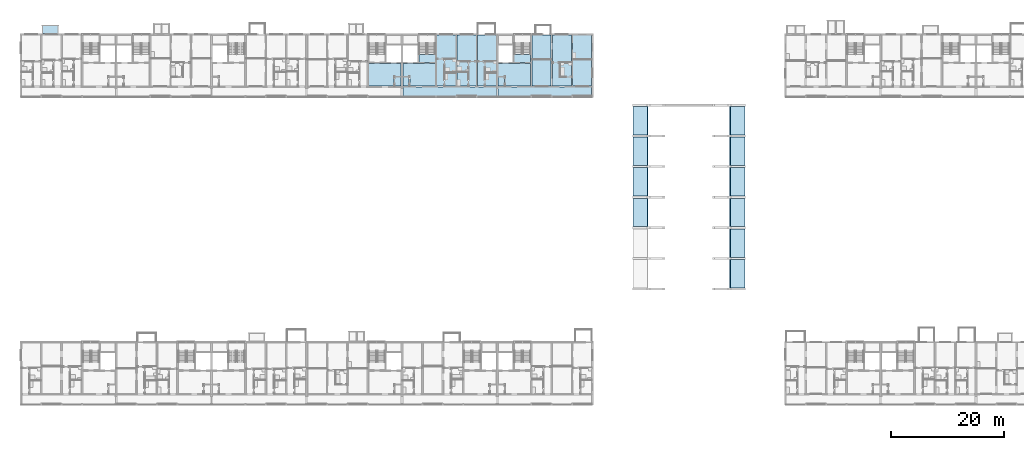
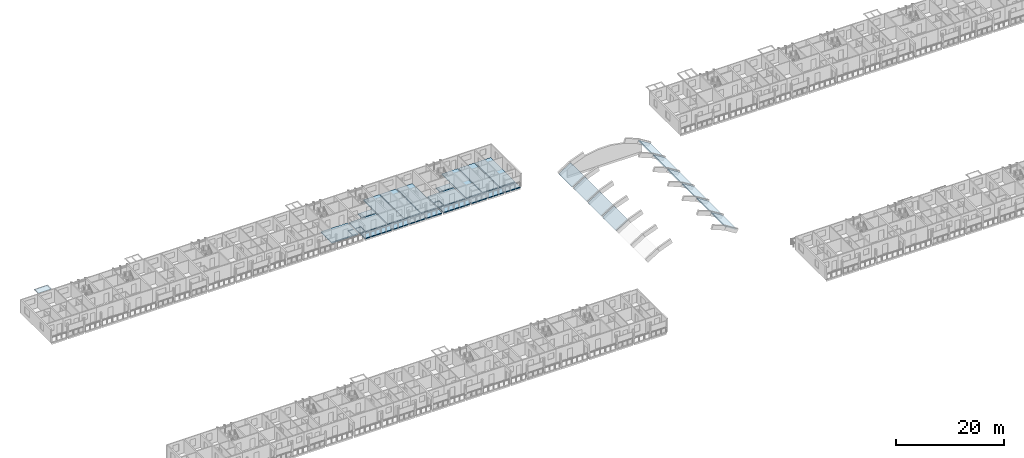
# One storey, part 23 of 99: 27 slabs.
"""IFC4 building model written with IfcOpenShell, lengths in metres."""

from ifc_helpers import new_model, si_unit, direction, frame, origin, place, context, subcontext, project, spatial, polyline, outline, extrude, material, layer, layer_set, type_object, element, save


model = new_model("IFC4")

# Units and contexts
model_context = context("Model", 3, precision=1e-05, world=origin(), true_north=direction((0.0, 1.0)))
body_context = subcontext(model_context, "Body", "Model", "MODEL_VIEW")
ifc_project = project(units=[si_unit("LENGTHUNIT", "METRE"), si_unit("AREAUNIT", "SQUARE_METRE"), si_unit("VOLUMEUNIT", "CUBIC_METRE"), si_unit("PLANEANGLEUNIT", "RADIAN"), si_unit("MASSUNIT", "GRAM", prefix="KILO")], contexts=[model_context])

# Site, building, storey
site_placement = place(None, origin())
site = spatial("IfcSite", under=ifc_project, at=site_placement, CompositionType="ELEMENT")
building_placement = place(site_placement, origin())
building = spatial("IfcBuilding", under=site, at=building_placement, Name="Ridgestep Commons", CompositionType="ELEMENT")
storey_placement = place(building_placement, frame((0.0, 0.0, 15.0)))
storey = spatial("IfcBuildingStorey", under=building, at=storey_placement, Name="L05", CompositionType="ELEMENT", Elevation=15.0)

# Slabs
ifc_material_1 = material(Name="Precast concrete C40/50", Category="concrete")
ifc_layer_1 = layer(ifc_material_1, 0.199951171875)
ifc_layer_set_1 = layer_set([ifc_layer_1], Name="Gallery slab 200")
slab_type_1 = type_object("IfcSlabType", Name="Gallery slab 200", PredefinedType="FLOOR", material=ifc_layer_set_1)
slab_1_placement = place(storey_placement, frame((0.0, 0.0, -0.199951171875)))
element("IfcSlab", 1, at=slab_1_placement, inside=storey, type_object=slab_type_1, Name="Gallery slab B5 L05", PredefinedType="FLOOR", context=body_context, shape_type="SweptSolid", body=[
    extrude(outline(polyline([(95.85009765625, 67.800048828125), (79.35009765625, 67.800048828125), (79.35009765625, 66.0), (85.074951171875, 66.0), (85.074951171875, 66.25), (85.324951171875, 66.25), (85.324951171875, 66.0), (88.675048828125, 66.0), (88.675048828125, 66.25), (88.925048828125, 66.25), (88.925048828125, 66.0), (92.27490234375, 66.0), (92.27490234375, 66.25), (92.52490234375, 66.25), (92.52490234375, 66.0), (95.85009765625, 66.0), (95.85009765625, 67.800048828125)])), origin(), (0.0, 0.0, 1.0), 0.199951171875),
])
slab_2_placement = place(storey_placement, frame((0.0, 0.0, -0.199951171875)))
element("IfcSlab", 2, at=slab_2_placement, inside=storey, type_object=slab_type_1, Name="Gallery slab B6 L05", PredefinedType="FLOOR", context=body_context, shape_type="SweptSolid", body=[
    extrude(outline(polyline([(112.64990234375, 67.800048828125), (96.14990234375, 67.800048828125), (96.14990234375, 66.0), (101.875, 66.0), (101.875, 66.25), (102.125, 66.25), (102.125, 66.0), (105.47509765625, 66.0), (105.47509765625, 66.25), (105.72509765625, 66.25), (105.72509765625, 66.0), (109.074951171875, 66.0), (109.074951171875, 66.25), (109.324951171875, 66.25), (109.324951171875, 66.0), (112.64990234375, 66.0), (112.64990234375, 67.800048828125)])), origin(), (0.0, 0.0, 1.0), 0.199951171875),
])
ifc_material_2 = material(Name="Precast concrete C50/60", Category="concrete")
ifc_layer_2 = layer(ifc_material_2, 0.199951171875)
ifc_layer_set_2 = layer_set([ifc_layer_2], Name="Hall roof plank 200")
slab_type_2 = type_object("IfcSlabType", Name="Hall roof plank 200", PredefinedType="ROOF", material=ifc_layer_set_2)
for number, where, z_axis, x_axis, name in (
    (3, (137.097412109375, 32.39990234375, 3.014404296875), (0.531363741052, 0.0, 0.847143774512), (0.847143774512, 0.0, -0.531363741052), "Hall barrel vault panel 9"),
    (4, (137.097412109375, 37.800048828125, 3.014404296875), (0.531363741052, 0.0, 0.847143774512), (0.847143774512, 0.0, -0.531363741052), "Hall barrel vault panel 21"),
    (5, (119.943115234375, 43.199951171875, 1.408935546875), (-0.531363741052, 0.0, 0.847143774512), (0.847143774512, 0.0, 0.531363741052), "Hall barrel vault panel 28"),
    (6, (137.097412109375, 43.199951171875, 3.014404296875), (0.531363741052, 0.0, 0.847143774512), (0.847143774512, 0.0, -0.531363741052), "Hall barrel vault panel 33"),
    (7, (119.943115234375, 48.60009765625, 1.408935546875), (-0.531363741052, 0.0, 0.847143774512), (0.847143774512, 0.0, 0.531363741052), "Hall barrel vault panel 40"),
    (8, (137.097412109375, 48.60009765625, 3.014404296875), (0.531363741052, 0.0, 0.847143774512), (0.847143774512, 0.0, -0.531363741052), "Hall barrel vault panel 45"),
    (9, (119.943115234375, 54.0, 1.408935546875), (-0.531363741052, 0.0, 0.847143774512), (0.847143774512, 0.0, 0.531363741052), "Hall barrel vault panel 52"),
    (10, (137.097412109375, 54.0, 3.014404296875), (0.531363741052, 0.0, 0.847143774512), (0.847143774512, 0.0, -0.531363741052), "Hall barrel vault panel 57"),
    (11, (119.943115234375, 59.39990234375, 1.408935546875), (-0.531363741052, 0.0, 0.847143774512), (0.847143774512, 0.0, 0.531363741052), "Hall barrel vault panel 64"),
    (12, (137.097412109375, 59.39990234375, 3.014404296875), (0.531363741052, 0.0, 0.847143774512), (0.847143774512, 0.0, -0.531363741052), "Hall barrel vault panel 69"),
):
    element("IfcSlab", number, at=place(storey_placement, frame(where, z_axis=z_axis, x_axis=x_axis)), inside=storey, type_object=slab_type_2, Name=name, PredefinedType="ROOF", context=body_context, shape_type="SweptSolid", body=[
        extrude(outline(polyline([(0.0, 0.0), (3.021411936803373, 0.0), (3.021411936803373, 5.0), (0.0, 5.0), (0.0, 0.0)])), origin(), (0.0, 0.0, -1.0), 0.199951171875),
    ])
ifc_material_3 = material(Name="Precast concrete C50/60", Category="concrete")
ifc_layer_3 = layer(ifc_material_3, 0.199951171875)
ifc_layer_set_3 = layer_set([ifc_layer_3], Name="Hollow-core plank 200")
slab_type_3 = type_object("IfcSlabType", Name="Hollow-core plank 200", PredefinedType="FLOOR", material=ifc_layer_set_3)
slab_3_placement = place(storey_placement, frame((0.0, 0.0, -0.199951171875)))
element("IfcSlab", 13, at=slab_3_placement, inside=storey, type_object=slab_type_3, Name="Floor plank B5T3 L05", PredefinedType="FLOOR", context=body_context, shape_type="SweptSolid", body=[
    extrude(outline(polyline([(88.699951171875, 68.0), (88.699951171875, 77.0), (85.324951171875, 77.0), (85.324951171875, 68.0), (88.699951171875, 68.0)])), origin(), (0.0, 0.0, 1.0), 0.199951171875),
])
slab_4_placement = place(storey_placement, frame((0.0, 0.0, -0.199951171875)))
element("IfcSlab", 14, at=slab_4_placement, inside=storey, type_object=slab_type_3, Name="Floor plank B5T2 L05", PredefinedType="FLOOR", context=body_context, shape_type="SweptSolid", body=[
    extrude(outline(polyline([(92.300048828125, 68.0), (92.300048828125, 77.0), (88.89990234375, 77.0), (88.89990234375, 68.0), (92.300048828125, 68.0)])), origin(), (0.0, 0.0, 1.0), 0.199951171875),
])
slab_5_placement = place(storey_placement, frame((0.0, 0.0, -0.199951171875)))
element("IfcSlab", 15, at=slab_5_placement, inside=storey, type_object=slab_type_3, Name="Floor plank B5T1 L05", PredefinedType="FLOOR", context=body_context, shape_type="SweptSolid", body=[
    extrude(outline(polyline([(95.85009765625, 68.0), (95.85009765625, 77.0), (92.5, 77.0), (92.5, 68.0), (95.85009765625, 68.0)])), origin(), (0.0, 0.0, 1.0), 0.199951171875),
])
slab_6_placement = place(storey_placement, frame((0.0, 0.0, -0.199951171875)))
element("IfcSlab", 16, at=slab_6_placement, inside=storey, type_object=slab_type_3, Name="Floor plank B6T3 L05", PredefinedType="FLOOR", context=body_context, shape_type="SweptSolid", body=[
    extrude(outline(polyline([(105.5, 68.0), (105.5, 77.0), (102.125, 77.0), (102.125, 68.0), (105.5, 68.0)])), origin(), (0.0, 0.0, 1.0), 0.199951171875),
])
slab_7_placement = place(storey_placement, frame((0.0, 0.0, -0.199951171875)))
element("IfcSlab", 17, at=slab_7_placement, inside=storey, type_object=slab_type_3, Name="Floor plank B6T2 L05", PredefinedType="FLOOR", context=body_context, shape_type="SweptSolid", body=[
    extrude(outline(polyline([(109.10009765625, 68.0), (109.10009765625, 77.0), (105.699951171875, 77.0), (105.699951171875, 68.0), (109.10009765625, 68.0)])), origin(), (0.0, 0.0, 1.0), 0.199951171875),
])
slab_8_placement = place(storey_placement, frame((0.0, 0.0, -0.199951171875)))
element("IfcSlab", 18, at=slab_8_placement, inside=storey, type_object=slab_type_3, Name="Floor plank B6T1 L05", PredefinedType="FLOOR", context=body_context, shape_type="SweptSolid", body=[
    extrude(outline(polyline([(112.64990234375, 68.0), (112.64990234375, 77.0), (109.300048828125, 77.0), (109.300048828125, 68.0), (112.64990234375, 68.0)])), origin(), (0.0, 0.0, 1.0), 0.199951171875),
])
ifc_material_4 = material(Name="Precast concrete C50/60", Category="concrete")
ifc_layer_4 = layer(ifc_material_4, 0.25)
ifc_layer_set_4 = layer_set([ifc_layer_4], Name="Hollow-core plank 250")
slab_type_4 = type_object("IfcSlabType", Name="Hollow-core plank 250", PredefinedType="FLOOR", material=ifc_layer_set_4)
slab_9_placement = place(storey_placement, frame((0.0, 0.0, -0.25)))
element("IfcSlab", 19, at=slab_9_placement, inside=storey, type_object=slab_type_4, Name="Floor plank B4C L05", PredefinedType="FLOOR", context=body_context, shape_type="SweptSolid", body=[
    extrude(outline(polyline([(77.919921875, 69.719970703125), (79.050048828125, 69.719970703125), (79.050048828125, 72.0), (73.324951171875, 72.0), (73.324951171875, 68.0), (77.800048828125, 68.0), (77.800048828125, 69.719970703125), (77.919921875, 69.719970703125)])), origin(), (0.0, 0.0, 1.0), 0.25),
])
slab_10_placement = place(storey_placement, frame((0.0, 0.0, -0.25)))
element("IfcSlab", 20, at=slab_10_placement, inside=storey, type_object=slab_type_4, Name="Floor plank B4C L05", PredefinedType="FLOOR", context=body_context, shape_type="SweptSolid", body=[
    extrude(outline(polyline([(77.919921875, 68.0), (79.050048828125, 68.0), (79.050048828125, 69.60009765625), (77.919921875, 69.60009765625), (77.919921875, 68.0)])), origin(), (0.0, 0.0, 1.0), 0.25),
])
slab_11_placement = place(storey_placement, frame((0.0, 0.0, -0.25)))
element("IfcSlab", 21, at=slab_11_placement, inside=storey, type_object=slab_type_4, Name="Floor plank B5C L05", PredefinedType="FLOOR", context=body_context, shape_type="SweptSolid", body=[
    extrude(outline(polyline([(80.60009765625, 68.0), (85.074951171875, 68.0), (85.074951171875, 72.0), (79.35009765625, 72.0), (79.35009765625, 69.719970703125), (80.47998046875, 69.719970703125), (80.60009765625, 69.719970703125), (80.60009765625, 68.0)])), origin(), (0.0, 0.0, 1.0), 0.25),
])
slab_12_placement = place(storey_placement, frame((0.0, 0.0, -0.25)))
element("IfcSlab", 22, at=slab_12_placement, inside=storey, type_object=slab_type_4, Name="Floor plank B5C L05", PredefinedType="FLOOR", context=body_context, shape_type="SweptSolid", body=[
    extrude(outline(polyline([(85.074951171875, 72.199951171875), (85.074951171875, 73.60009765625), (82.175048828125, 73.60009765625), (82.175048828125, 72.199951171875), (85.074951171875, 72.199951171875)])), origin(), (0.0, 0.0, 1.0), 0.25),
])
slab_13_placement = place(storey_placement, frame((0.0, 0.0, -0.25)))
element("IfcSlab", 23, at=slab_13_placement, inside=storey, type_object=slab_type_4, Name="Floor plank B5C L05", PredefinedType="FLOOR", context=body_context, shape_type="SweptSolid", body=[
    extrude(outline(polyline([(80.47998046875, 69.60009765625), (79.35009765625, 69.60009765625), (79.35009765625, 68.0), (80.47998046875, 68.0), (80.47998046875, 69.60009765625)])), origin(), (0.0, 0.0, 1.0), 0.25),
])
slab_14_placement = place(storey_placement, frame((0.0, 0.0, -0.25)))
element("IfcSlab", 24, at=slab_14_placement, inside=storey, type_object=slab_type_4, Name="Floor plank B6C L05", PredefinedType="FLOOR", context=body_context, shape_type="SweptSolid", body=[
    extrude(outline(polyline([(97.39990234375, 68.0), (101.875, 68.0), (101.875, 72.0), (96.14990234375, 72.0), (96.14990234375, 69.719970703125), (97.280029296875, 69.719970703125), (97.39990234375, 69.719970703125), (97.39990234375, 68.0)])), origin(), (0.0, 0.0, 1.0), 0.25),
])
slab_15_placement = place(storey_placement, frame((0.0, 0.0, -0.25)))
element("IfcSlab", 25, at=slab_15_placement, inside=storey, type_object=slab_type_4, Name="Floor plank B6C L05", PredefinedType="FLOOR", context=body_context, shape_type="SweptSolid", body=[
    extrude(outline(polyline([(101.875, 72.199951171875), (101.875, 73.60009765625), (98.97509765625, 73.60009765625), (98.97509765625, 72.199951171875), (101.875, 72.199951171875)])), origin(), (0.0, 0.0, 1.0), 0.25),
])
slab_16_placement = place(storey_placement, frame((0.0, 0.0, -0.25)))
element("IfcSlab", 26, at=slab_16_placement, inside=storey, type_object=slab_type_4, Name="Floor plank B6C L05", PredefinedType="FLOOR", context=body_context, shape_type="SweptSolid", body=[
    extrude(outline(polyline([(97.280029296875, 69.60009765625), (96.14990234375, 69.60009765625), (96.14990234375, 68.0), (97.280029296875, 68.0), (97.280029296875, 69.60009765625)])), origin(), (0.0, 0.0, 1.0), 0.25),
])
ifc_material_5 = material(Name="Weathering steel S355J2W", Category="steel")
ifc_layer_5 = layer(ifc_material_5, 0.010009765625)
ifc_layer_set_5 = layer_set([ifc_layer_5], Name="Tray 3.0 x 1.5")
slab_type_5 = type_object("IfcSlabType", Name="Tray 3.0 x 1.5", PredefinedType="FLOOR", material=ifc_layer_set_5)
slab_17_placement = place(storey_placement, frame((0.0, 0.0, 2.989990234375)))
element("IfcSlab", 27, at=slab_17_placement, inside=storey, type_object=slab_type_5, Name="Tray deck B1T2-06", PredefinedType="FLOOR", context=body_context, shape_type="SweptSolid", body=[
    extrude(outline(polyline([(15.72998046875, 77.25), (18.669921875, 77.25), (18.669921875, 78.75), (15.72998046875, 78.75), (15.72998046875, 77.25)])), origin(), (0.0, 0.0, 1.0), 0.010009765625),
])

save(model, "model.ifc")
